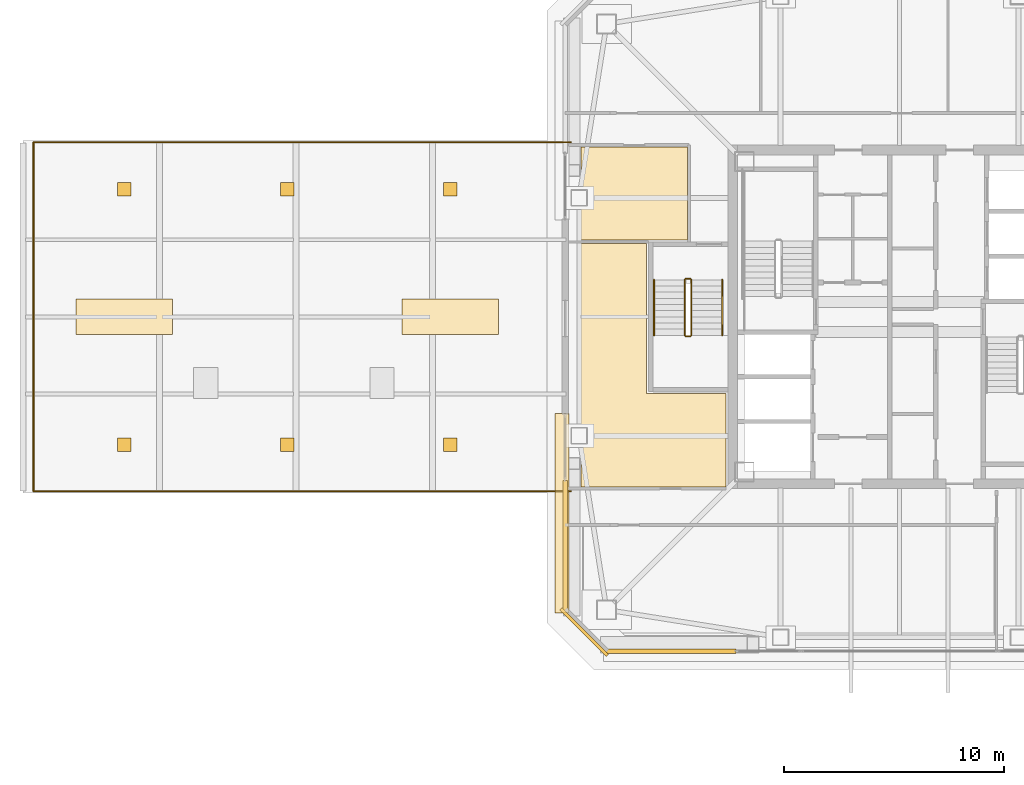
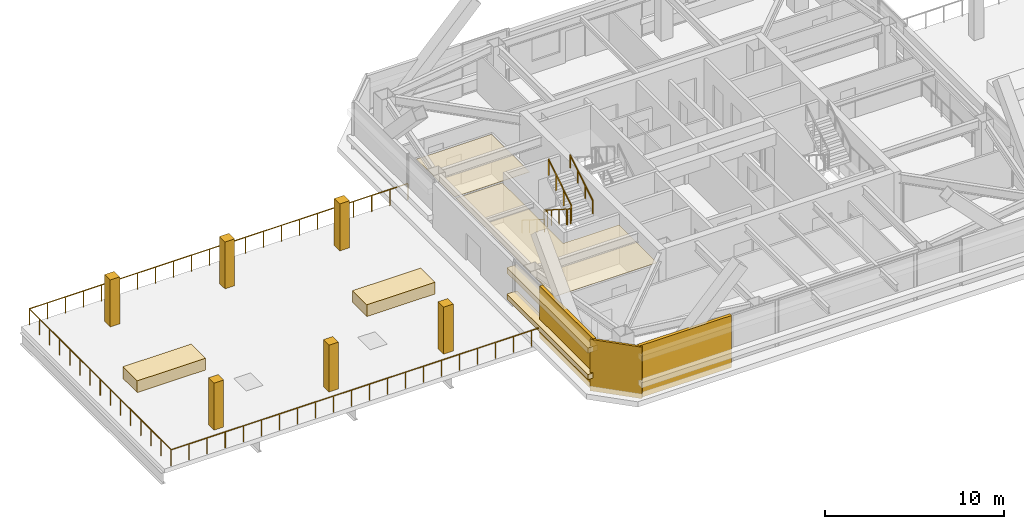
# One storey, part 32 of 37: 15 coverings, 9 railings.
"""IFC4 building model written with IfcOpenShell, lengths in metres."""

from ifc_helpers import new_model, si_unit, direction, frame, origin, origin_2d, place, context, subcontext, project, spatial, polyline, rectangle, outline, extrude, material, layer, layer_set, type_object, element, save


model = new_model("IFC4")

# Units and contexts
model_context = context("Model", 3, precision=1e-05, world=origin(), true_north=direction((0.0, 1.0)))
body_context = subcontext(model_context, "Body", "Model", "MODEL_VIEW")
ifc_project = project(units=[si_unit("LENGTHUNIT", "METRE"), si_unit("AREAUNIT", "SQUARE_METRE"), si_unit("VOLUMEUNIT", "CUBIC_METRE"), si_unit("PLANEANGLEUNIT", "RADIAN"), si_unit("MASSUNIT", "GRAM", prefix="KILO")], contexts=[model_context])

# Site, building, storey
site_placement = place(None, origin())
site = spatial("IfcSite", under=ifc_project, at=site_placement, CompositionType="ELEMENT")
building_placement = place(site_placement, origin())
building = spatial("IfcBuilding", under=site, at=building_placement, Name="Tashvorn Skyway Center", CompositionType="ELEMENT")
storey_placement = place(building_placement, frame((0.0, 0.0, 263.39990234375)))
storey = spatial("IfcBuildingStorey", under=building, at=storey_placement, Name="L71", CompositionType="ELEMENT", Elevation=263.39990234375)

# Coverings
ifc_material_1 = material(Name="Precast concrete C40/50", Category="concrete")
ifc_layer_1 = layer(ifc_material_1, 0.199951171875)
ifc_layer_set_1 = layer_set([ifc_layer_1], Name="Precast concrete C40/50")
covering_type_1 = type_object("IfcCoveringType", Name="COV-BRACE-CLAD", PredefinedType="CLADDING", material=ifc_layer_set_1)
covering_1_placement = place(storey_placement, frame((31.59326171875, 16.820068359375, 0.0), z_axis=(0.0, 0.0, 1.0), x_axis=(-1.0, 0.0, 0.0)))
element("IfcCovering", 1, at=covering_1_placement, inside=storey, type_object=covering_type_1, Name="Tower 1 L71 South Unitised Curtain Wall Mega-Brace Cladding Band 2", PredefinedType="CLADDING", context=body_context, shape_type="SweptSolid", body=[
    extrude(rectangle(XDim=5.94677734375, YDim=0.199951171875, at=origin_2d()), origin(), (0.0, 0.0, 1.0), 3.550048828125),
])
covering_2_placement = place(storey_placement, frame((26.820068359375, 21.5966796875, 0.0), z_axis=(0.0, 0.0, 1.0), x_axis=(0.0, 1.0, 0.0)))
element("IfcCovering", 2, at=covering_2_placement, inside=storey, type_object=covering_type_1, Name="Tower 1 L71 West Curtain Wall L Mega-Brace Cladding Band 1", PredefinedType="CLADDING", context=body_context, shape_type="SweptSolid", body=[
    extrude(rectangle(XDim=5.953369140625, YDim=0.199951171875, at=origin_2d()), origin(), (0.0, 0.0, 1.0), 3.550048828125),
])
ifc_material_2 = material(Name="Mineral-fibre acoustic ceiling tile on suspended grid")
ifc_layer_2 = layer(ifc_material_2, 0.02001953125)
ifc_layer_set_2 = layer_set([ifc_layer_2], Name="Mineral-fibre acoustic ceiling tile on suspended grid")
covering_type_2 = type_object("IfcCoveringType", Name="COV-CEIL-20", PredefinedType="CEILING", material=ifc_layer_set_2)
covering_3_placement = place(storey_placement, frame((0.0, 0.0, 2.703125)))
element("IfcCovering", 3, at=covering_3_placement, inside=storey, type_object=covering_type_2, Name="Tower 1 L71 Reading Lounge Acoustic Ceiling", PredefinedType="CEILING", context=body_context, shape_type="SweptSolid", body=[
    extrude(outline(polyline([(32.3701171875, 39.719970703125), (32.3701171875, 35.47998046875), (27.530029296875, 35.47998046875), (27.530029296875, 39.719970703125), (32.3701171875, 39.719970703125)])), origin(), (0.0, 0.0, 1.0), 0.02001953125),
])
covering_4_placement = place(storey_placement, frame((0.0, 0.0, 2.703125)))
element("IfcCovering", 4, at=covering_4_placement, inside=storey, type_object=covering_type_2, Name="Tower 1 L71 Public Restroom Acoustic Ceiling", PredefinedType="CEILING", context=body_context, shape_type="SweptSolid", body=[
    extrude(outline(polyline([(34.1201171875, 24.280029296875), (27.530029296875, 24.280029296875), (27.530029296875, 28.52001953125), (27.530029296875, 35.320068359375), (30.52001953125, 35.320068359375), (30.52001953125, 28.52001953125), (34.1201171875, 28.52001953125), (34.1201171875, 24.280029296875)])), origin(), (0.0, 0.0, 1.0), 0.02001953125),
])
ifc_material_3 = material(Name="Perforated ceramic-coated bronze aluminium solar screen", Category="aluminium")
ifc_layer_3 = layer(ifc_material_3, 0.85009765625)
ifc_layer_set_3 = layer_set([ifc_layer_3], Name="Perforated ceramic-coated bronze aluminium solar screen")
covering_type_3 = type_object("IfcCoveringType", Name="COV-SOLAR-BAND", PredefinedType="CLADDING", material=ifc_layer_set_3)
for number, where, z_axis, x_axis, name in (
    (5, (26.679931640625, 23.0849609375, 0.919921875), (0.0, 0.0, 1.0), (0.0, 1.0, 0.0), "L71 Perforated Ceramic-Metal Solar Screen Louvre Band West 1"),
    (6, (26.679931640625, 23.0849609375, 2.72021484375), (0.0, 0.0, 1.0), (0.0, 1.0, 0.0), "L71 Perforated Ceramic-Metal Solar Screen Louvre Band West 2"),
):
    element("IfcCovering", number, at=place(storey_placement, frame(where, z_axis=z_axis, x_axis=x_axis)), inside=storey, type_object=covering_type_3, Name=name, PredefinedType="CLADDING", context=body_context, shape_type="SweptSolid", body=[
        extrude(rectangle(XDim=9.050048828125, YDim=0.639892578125, at=origin_2d()), origin(), (0.0, 0.0, 1.0), 0.360107421875),
    ])
ifc_layer_4 = layer(ifc_material_1, 0.35009765625)
ifc_layer_set_4 = layer_set([ifc_layer_4], Name="Precast concrete C40/50")
covering_type_4 = type_object("IfcCoveringType", Name="COV-STONE-TRIM", PredefinedType="CLADDING", material=ifc_layer_set_4)
covering_5_placement = place(storey_placement, frame((27.679931640625, 17.679931640625, 0.02001953125), z_axis=(0.0, 0.0, 1.0), x_axis=(-0.707106781187, 0.707106781187, 0.0)))
element("IfcCovering", 7, at=covering_5_placement, inside=storey, type_object=covering_type_4, Name="Tower 1 L71 SW Mojave Limestone Corner Quoin", PredefinedType="CLADDING", context=body_context, shape_type="SweptSolid", body=[
    extrude(rectangle(XDim=2.98828125, YDim=0.139892578125, at=origin_2d()), origin(), (0.0, 0.0, 1.0), 3.510009765625),
])
for number, where, z_axis, x_axis, name in (
    (8, (6.800048828125, 26.199951171875, 0.0), (0.0, 0.0, 1.0), (1.0, 0.0, 0.0), "Sky-Park Promenade Pergola Stone Column Cladding 1-1"),
    (9, (6.800048828125, 37.800048828125, 0.0), (0.0, 0.0, 1.0), (1.0, 0.0, 0.0), "Sky-Park Promenade Pergola Stone Column Cladding 1-2"),
):
    element("IfcCovering", number, at=place(storey_placement, frame(where, z_axis=z_axis, x_axis=x_axis)), inside=storey, type_object=covering_type_4, Name=name, PredefinedType="CLADDING", context=body_context, shape_type="SweptSolid", body=[
        extrude(rectangle(XDim=0.6201171875, YDim=0.6201171875, at=origin_2d()), origin(), (0.0, 0.0, 1.0), 3.199951171875),
    ])
covering_6_placement = place(storey_placement, frame((6.800048828125, 32.0, 0.0), z_axis=(0.0, 0.0, 1.0), x_axis=(1.0, 0.0, 0.0)))
element("IfcCovering", 10, at=covering_6_placement, inside=storey, type_object=covering_type_4, Name="Sky-Park Promenade Xeriscape Planter Bed 1", PredefinedType="CLADDING", context=body_context, shape_type="SweptSolid", body=[
    extrude(rectangle(XDim=4.39990234375, YDim=1.60009765625, at=origin_2d()), origin(), (0.0, 0.0, 1.0), 0.800048828125),
])
for number, where, z_axis, x_axis, name in (
    (11, (14.199951171875, 26.199951171875, 0.0), (0.0, 0.0, 1.0), (1.0, 0.0, 0.0), "Sky-Park Promenade Pergola Stone Column Cladding 2-1"),
    (12, (14.199951171875, 37.800048828125, 0.0), (0.0, 0.0, 1.0), (1.0, 0.0, 0.0), "Sky-Park Promenade Pergola Stone Column Cladding 2-2"),
    (13, (21.60009765625, 26.199951171875, 0.0), (0.0, 0.0, 1.0), (1.0, 0.0, 0.0), "Sky-Park Promenade Pergola Stone Column Cladding 3-1"),
    (14, (21.60009765625, 37.800048828125, 0.0), (0.0, 0.0, 1.0), (1.0, 0.0, 0.0), "Sky-Park Promenade Pergola Stone Column Cladding 3-2"),
):
    element("IfcCovering", number, at=place(storey_placement, frame(where, z_axis=z_axis, x_axis=x_axis)), inside=storey, type_object=covering_type_4, Name=name, PredefinedType="CLADDING", context=body_context, shape_type="SweptSolid", body=[
        extrude(rectangle(XDim=0.6201171875, YDim=0.6201171875, at=origin_2d()), origin(), (0.0, 0.0, 1.0), 3.199951171875),
    ])
covering_7_placement = place(storey_placement, frame((21.60009765625, 32.0, 0.0), z_axis=(0.0, 0.0, 1.0), x_axis=(1.0, 0.0, 0.0)))
element("IfcCovering", 15, at=covering_7_placement, inside=storey, type_object=covering_type_4, Name="Sky-Park Promenade Xeriscape Planter Bed 3", PredefinedType="CLADDING", context=body_context, shape_type="SweptSolid", body=[
    extrude(rectangle(XDim=4.39990234375, YDim=1.60009765625, at=origin_2d()), origin(), (0.0, 0.0, 1.0), 0.800048828125),
])

# Railings
ifc_material_4 = material(Name="Galvanized steel S355", Category="steel")
railing_type_1 = type_object("IfcRailingType", Name="RAIL-GUARD-1120", PredefinedType="GUARDRAIL", material=ifc_material_4)
railing_1_placement = place(storey_placement, frame((27.080078125, 24.080078125, 0.0)))
element("IfcRailing", 16, at=railing_1_placement, inside=storey, type_object=railing_type_1, Name="L71 Sky-Park West Belvedere Balustrade 01", PredefinedType="GUARDRAIL", context=body_context, shape_type="SweptSolid", body=[
    extrude(rectangle(XDim=0.048095703125, YDim=0.048095703125, at=origin_2d()), frame((0.0, 0.0, 1.09619140625), z_axis=(-1.0, 0.0, 0.0), x_axis=(0.0, -1.0, 0.0)), (0.0, 0.0, 1.0), 24.400146484375),
    extrude(rectangle(XDim=0.0419921875, YDim=0.0419921875, at=origin_2d()), origin(), (0.0, 0.0, 1.0), 1.072021484375),
    extrude(rectangle(XDim=0.0419921875, YDim=0.0419921875, at=origin_2d()), frame((-1.161865234375, 0.0, 0.0)), (0.0, 0.0, 1.0), 1.072021484375),
    extrude(rectangle(XDim=0.0419921875, YDim=0.0419921875, at=origin_2d()), frame((-2.32373046875, 0.0, 0.0)), (0.0, 0.0, 1.0), 1.072021484375),
    extrude(rectangle(XDim=0.0419921875, YDim=0.0419921875, at=origin_2d()), frame((-3.48583984375, 0.0, 0.0)), (0.0, 0.0, 1.0), 1.072021484375),
    extrude(rectangle(XDim=0.0419921875, YDim=0.0419921875, at=origin_2d()), frame((-4.647705078125, 0.0, 0.0)), (0.0, 0.0, 1.0), 1.072021484375),
    extrude(rectangle(XDim=0.0419921875, YDim=0.0419921875, at=origin_2d()), frame((-5.8095703125, 0.0, 0.0)), (0.0, 0.0, 1.0), 1.072021484375),
    extrude(rectangle(XDim=0.0419921875, YDim=0.0419921875, at=origin_2d()), frame((-6.971435546875, 0.0, 0.0)), (0.0, 0.0, 1.0), 1.072021484375),
    extrude(rectangle(XDim=0.0419921875, YDim=0.0419921875, at=origin_2d()), frame((-8.13330078125, 0.0, 0.0)), (0.0, 0.0, 1.0), 1.072021484375),
    extrude(rectangle(XDim=0.0419921875, YDim=0.0419921875, at=origin_2d()), frame((-9.29541015625, 0.0, 0.0)), (0.0, 0.0, 1.0), 1.072021484375),
    extrude(rectangle(XDim=0.0419921875, YDim=0.0419921875, at=origin_2d()), frame((-10.457275390625, 0.0, 0.0)), (0.0, 0.0, 1.0), 1.072021484375),
    extrude(rectangle(XDim=0.0419921875, YDim=0.0419921875, at=origin_2d()), frame((-11.619140625, 0.0, 0.0)), (0.0, 0.0, 1.0), 1.072021484375),
    extrude(rectangle(XDim=0.0419921875, YDim=0.0419921875, at=origin_2d()), frame((-12.781005859375, 0.0, 0.0)), (0.0, 0.0, 1.0), 1.072021484375),
    extrude(rectangle(XDim=0.0419921875, YDim=0.0419921875, at=origin_2d()), frame((-13.94287109375, 0.0, 0.0)), (0.0, 0.0, 1.0), 1.072021484375),
    extrude(rectangle(XDim=0.0419921875, YDim=0.0419921875, at=origin_2d()), frame((-15.104736328125, 0.0, 0.0)), (0.0, 0.0, 1.0), 1.072021484375),
    extrude(rectangle(XDim=0.0419921875, YDim=0.0419921875, at=origin_2d()), frame((-16.266845703125, 0.0, 0.0)), (0.0, 0.0, 1.0), 1.072021484375),
    extrude(rectangle(XDim=0.0419921875, YDim=0.0419921875, at=origin_2d()), frame((-17.4287109375, 0.0, 0.0)), (0.0, 0.0, 1.0), 1.072021484375),
    extrude(rectangle(XDim=0.0419921875, YDim=0.0419921875, at=origin_2d()), frame((-18.590576171875, 0.0, 0.0)), (0.0, 0.0, 1.0), 1.072021484375),
    extrude(rectangle(XDim=0.0419921875, YDim=0.0419921875, at=origin_2d()), frame((-19.75244140625, 0.0, 0.0)), (0.0, 0.0, 1.0), 1.072021484375),
    extrude(rectangle(XDim=0.0419921875, YDim=0.0419921875, at=origin_2d()), frame((-20.914306640625, 0.0, 0.0)), (0.0, 0.0, 1.0), 1.072021484375),
    extrude(rectangle(XDim=0.0419921875, YDim=0.0419921875, at=origin_2d()), frame((-22.076416015625, 0.0, 0.0)), (0.0, 0.0, 1.0), 1.072021484375),
    extrude(rectangle(XDim=0.0419921875, YDim=0.0419921875, at=origin_2d()), frame((-23.23828125, 0.0, 0.0)), (0.0, 0.0, 1.0), 1.072021484375),
    extrude(rectangle(XDim=0.0419921875, YDim=0.0419921875, at=origin_2d()), frame((-24.400146484375, 0.0, 0.0)), (0.0, 0.0, 1.0), 1.072021484375),
])
railing_2_placement = place(storey_placement, frame((2.679931640625, 24.080078125, 0.0)))
element("IfcRailing", 17, at=railing_2_placement, inside=storey, type_object=railing_type_1, Name="L71 Sky-Park West Belvedere Balustrade 02", PredefinedType="GUARDRAIL", context=body_context, shape_type="SweptSolid", body=[
    extrude(rectangle(XDim=0.048095703125, YDim=0.048095703125, at=origin_2d()), frame((0.0, 0.0, 1.09619140625), z_axis=(0.0, 1.0, 0.0), x_axis=(-1.0, 0.0, 0.0)), (0.0, 0.0, 1.0), 15.83984375),
    extrude(rectangle(XDim=0.0419921875, YDim=0.0419921875, at=origin_2d()), origin(), (0.0, 0.0, 1.0), 1.072021484375),
    extrude(rectangle(XDim=0.0419921875, YDim=0.0419921875, at=origin_2d()), frame((0.0, 1.13134765625, 0.0)), (0.0, 0.0, 1.0), 1.072021484375),
    extrude(rectangle(XDim=0.0419921875, YDim=0.0419921875, at=origin_2d()), frame((0.0, 2.262939453125, 0.0)), (0.0, 0.0, 1.0), 1.072021484375),
    extrude(rectangle(XDim=0.0419921875, YDim=0.0419921875, at=origin_2d()), frame((0.0, 3.394287109375, 0.0)), (0.0, 0.0, 1.0), 1.072021484375),
    extrude(rectangle(XDim=0.0419921875, YDim=0.0419921875, at=origin_2d()), frame((0.0, 4.525634765625, 0.0)), (0.0, 0.0, 1.0), 1.072021484375),
    extrude(rectangle(XDim=0.0419921875, YDim=0.0419921875, at=origin_2d()), frame((0.0, 5.656982421875, 0.0)), (0.0, 0.0, 1.0), 1.072021484375),
    extrude(rectangle(XDim=0.0419921875, YDim=0.0419921875, at=origin_2d()), frame((0.0, 6.78857421875, 0.0)), (0.0, 0.0, 1.0), 1.072021484375),
    extrude(rectangle(XDim=0.0419921875, YDim=0.0419921875, at=origin_2d()), frame((0.0, 7.919921875, 0.0)), (0.0, 0.0, 1.0), 1.072021484375),
    extrude(rectangle(XDim=0.0419921875, YDim=0.0419921875, at=origin_2d()), frame((0.0, 9.05126953125, 0.0)), (0.0, 0.0, 1.0), 1.072021484375),
    extrude(rectangle(XDim=0.0419921875, YDim=0.0419921875, at=origin_2d()), frame((0.0, 10.182861328125, 0.0)), (0.0, 0.0, 1.0), 1.072021484375),
    extrude(rectangle(XDim=0.0419921875, YDim=0.0419921875, at=origin_2d()), frame((0.0, 11.314208984375, 0.0)), (0.0, 0.0, 1.0), 1.072021484375),
    extrude(rectangle(XDim=0.0419921875, YDim=0.0419921875, at=origin_2d()), frame((0.0, 12.445556640625, 0.0)), (0.0, 0.0, 1.0), 1.072021484375),
    extrude(rectangle(XDim=0.0419921875, YDim=0.0419921875, at=origin_2d()), frame((0.0, 13.576904296875, 0.0)), (0.0, 0.0, 1.0), 1.072021484375),
    extrude(rectangle(XDim=0.0419921875, YDim=0.0419921875, at=origin_2d()), frame((0.0, 14.70849609375, 0.0)), (0.0, 0.0, 1.0), 1.072021484375),
    extrude(rectangle(XDim=0.0419921875, YDim=0.0419921875, at=origin_2d()), frame((0.0, 15.83984375, 0.0)), (0.0, 0.0, 1.0), 1.072021484375),
])
railing_3_placement = place(storey_placement, frame((2.679931640625, 39.919921875, 0.0)))
element("IfcRailing", 18, at=railing_3_placement, inside=storey, type_object=railing_type_1, Name="L71 Sky-Park West Belvedere Balustrade 03", PredefinedType="GUARDRAIL", context=body_context, shape_type="SweptSolid", body=[
    extrude(rectangle(XDim=0.048095703125, YDim=0.048095703125, at=origin_2d()), frame((0.0, 0.0, 1.09619140625), z_axis=(1.0, 0.0, 0.0), x_axis=(0.0, 1.0, 0.0)), (0.0, 0.0, 1.0), 24.400146484375),
    extrude(rectangle(XDim=0.0419921875, YDim=0.0419921875, at=origin_2d()), origin(), (0.0, 0.0, 1.0), 1.072021484375),
    extrude(rectangle(XDim=0.0419921875, YDim=0.0419921875, at=origin_2d()), frame((1.161865234375, 0.0, 0.0)), (0.0, 0.0, 1.0), 1.072021484375),
    extrude(rectangle(XDim=0.0419921875, YDim=0.0419921875, at=origin_2d()), frame((2.32373046875, 0.0, 0.0)), (0.0, 0.0, 1.0), 1.072021484375),
    extrude(rectangle(XDim=0.0419921875, YDim=0.0419921875, at=origin_2d()), frame((3.48583984375, 0.0, 0.0)), (0.0, 0.0, 1.0), 1.072021484375),
    extrude(rectangle(XDim=0.0419921875, YDim=0.0419921875, at=origin_2d()), frame((4.647705078125, 0.0, 0.0)), (0.0, 0.0, 1.0), 1.072021484375),
    extrude(rectangle(XDim=0.0419921875, YDim=0.0419921875, at=origin_2d()), frame((5.8095703125, 0.0, 0.0)), (0.0, 0.0, 1.0), 1.072021484375),
    extrude(rectangle(XDim=0.0419921875, YDim=0.0419921875, at=origin_2d()), frame((6.971435546875, 0.0, 0.0)), (0.0, 0.0, 1.0), 1.072021484375),
    extrude(rectangle(XDim=0.0419921875, YDim=0.0419921875, at=origin_2d()), frame((8.13330078125, 0.0, 0.0)), (0.0, 0.0, 1.0), 1.072021484375),
    extrude(rectangle(XDim=0.0419921875, YDim=0.0419921875, at=origin_2d()), frame((9.29541015625, 0.0, 0.0)), (0.0, 0.0, 1.0), 1.072021484375),
    extrude(rectangle(XDim=0.0419921875, YDim=0.0419921875, at=origin_2d()), frame((10.457275390625, 0.0, 0.0)), (0.0, 0.0, 1.0), 1.072021484375),
    extrude(rectangle(XDim=0.0419921875, YDim=0.0419921875, at=origin_2d()), frame((11.619140625, 0.0, 0.0)), (0.0, 0.0, 1.0), 1.072021484375),
    extrude(rectangle(XDim=0.0419921875, YDim=0.0419921875, at=origin_2d()), frame((12.781005859375, 0.0, 0.0)), (0.0, 0.0, 1.0), 1.072021484375),
    extrude(rectangle(XDim=0.0419921875, YDim=0.0419921875, at=origin_2d()), frame((13.94287109375, 0.0, 0.0)), (0.0, 0.0, 1.0), 1.072021484375),
    extrude(rectangle(XDim=0.0419921875, YDim=0.0419921875, at=origin_2d()), frame((15.104736328125, 0.0, 0.0)), (0.0, 0.0, 1.0), 1.072021484375),
    extrude(rectangle(XDim=0.0419921875, YDim=0.0419921875, at=origin_2d()), frame((16.266845703125, 0.0, 0.0)), (0.0, 0.0, 1.0), 1.072021484375),
    extrude(rectangle(XDim=0.0419921875, YDim=0.0419921875, at=origin_2d()), frame((17.4287109375, 0.0, 0.0)), (0.0, 0.0, 1.0), 1.072021484375),
    extrude(rectangle(XDim=0.0419921875, YDim=0.0419921875, at=origin_2d()), frame((18.590576171875, 0.0, 0.0)), (0.0, 0.0, 1.0), 1.072021484375),
    extrude(rectangle(XDim=0.0419921875, YDim=0.0419921875, at=origin_2d()), frame((19.75244140625, 0.0, 0.0)), (0.0, 0.0, 1.0), 1.072021484375),
    extrude(rectangle(XDim=0.0419921875, YDim=0.0419921875, at=origin_2d()), frame((20.914306640625, 0.0, 0.0)), (0.0, 0.0, 1.0), 1.072021484375),
    extrude(rectangle(XDim=0.0419921875, YDim=0.0419921875, at=origin_2d()), frame((22.076416015625, 0.0, 0.0)), (0.0, 0.0, 1.0), 1.072021484375),
    extrude(rectangle(XDim=0.0419921875, YDim=0.0419921875, at=origin_2d()), frame((23.23828125, 0.0, 0.0)), (0.0, 0.0, 1.0), 1.072021484375),
    extrude(rectangle(XDim=0.0419921875, YDim=0.0419921875, at=origin_2d()), frame((24.400146484375, 0.0, 0.0)), (0.0, 0.0, 1.0), 1.072021484375),
])
ifc_material_5 = material(Name="Brushed stainless steel 316", Category="steel")
railing_type_2 = type_object("IfcRailingType", Name="RAIL-HAND-920", PredefinedType="HANDRAIL", material=ifc_material_5)
railing_4_placement = place(storey_placement, frame((30.85009765625, 33.679931640625, 0.177490234375)))
element("IfcRailing", 19, at=railing_4_placement, inside=storey, type_object=railing_type_2, Name="L71 ST-T1-3 stair handrail 1", PredefinedType="HANDRAIL", context=body_context, shape_type="SweptSolid", body=[
    extrude(rectangle(XDim=0.048095703125, YDim=0.048095703125, at=origin_2d()), frame((0.0, 0.0, 0.8759765625), z_axis=(0.0, -0.84456994832, 0.535445237532), x_axis=(1.0, 0.0, 0.0)), (0.0, 0.0, 1.0), 2.98388671875),
    extrude(rectangle(XDim=0.0419921875, YDim=0.0419921875, at=origin_2d()), origin(), (0.0, 0.0, 1.0), 0.851806640625),
    extrude(rectangle(XDim=0.0419921875, YDim=0.0419921875, at=origin_2d()), frame((0.0, -0.840087890625, 0.532470703125)), (0.0, 0.0, 1.0), 0.851806640625),
    extrude(rectangle(XDim=0.0419921875, YDim=0.0419921875, at=origin_2d()), frame((0.0, -1.679931640625, 1.065185546875)), (0.0, 0.0, 1.0), 0.851806640625),
    extrude(rectangle(XDim=0.0419921875, YDim=0.0419921875, at=origin_2d()), frame((0.0, -2.52001953125, 1.59765625)), (0.0, 0.0, 1.0), 0.851806640625),
])
railing_5_placement = place(storey_placement, frame((33.949951171875, 31.159912109375, 1.95263671875)))
element("IfcRailing", 20, at=railing_5_placement, inside=storey, type_object=railing_type_2, Name="L71 ST-T1-3 stair handrail 2", PredefinedType="HANDRAIL", context=body_context, shape_type="SweptSolid", body=[
    extrude(rectangle(XDim=0.048095703125, YDim=0.048095703125, at=origin_2d()), frame((0.0, 0.0, 0.8759765625), z_axis=(0.0, 0.84460694969, 0.535386869969), x_axis=(-1.0, 0.0, 0.0)), (0.0, 0.0, 1.0), 2.983642578125),
    extrude(rectangle(XDim=0.0419921875, YDim=0.0419921875, at=origin_2d()), origin(), (0.0, 0.0, 1.0), 0.851806640625),
    extrude(rectangle(XDim=0.0419921875, YDim=0.0419921875, at=origin_2d()), frame((0.0, 0.840087890625, 0.532470703125)), (0.0, 0.0, 1.0), 0.851806640625),
    extrude(rectangle(XDim=0.0419921875, YDim=0.0419921875, at=origin_2d()), frame((0.0, 1.679931640625, 1.06494140625)), (0.0, 0.0, 1.0), 0.851806640625),
    extrude(rectangle(XDim=0.0419921875, YDim=0.0419921875, at=origin_2d()), frame((0.0, 2.52001953125, 1.597412109375)), (0.0, 0.0, 1.0), 0.851806640625),
])
ifc_material_6 = material(Name="Painted galvanized steel S355", Category="steel")
railing_type_3 = type_object("IfcRailingType", Name="RAIL-STGUARD-1100", PredefinedType="GUARDRAIL", material=ifc_material_6)
railing_6_placement = place(storey_placement, frame((32.25, 33.679931640625, 0.177490234375)))
element("IfcRailing", 21, at=railing_6_placement, inside=storey, type_object=railing_type_3, Name="L71 ST-T1-3 stair guard 1", PredefinedType="GUARDRAIL", context=body_context, shape_type="SweptSolid", body=[
    extrude(rectangle(XDim=0.048095703125, YDim=0.048095703125, at=origin_2d()), frame((0.0, 0.0, 1.076171875), z_axis=(0.0, -0.84456994832, 0.535445237532), x_axis=(1.0, 0.0, 0.0)), (0.0, 0.0, 1.0), 2.98388671875),
    extrude(rectangle(XDim=0.0419921875, YDim=0.0419921875, at=origin_2d()), origin(), (0.0, 0.0, 1.0), 1.052001953125),
    extrude(rectangle(XDim=0.0419921875, YDim=0.0419921875, at=origin_2d()), frame((0.0, -0.840087890625, 0.532470703125)), (0.0, 0.0, 1.0), 1.052001953125),
    extrude(rectangle(XDim=0.0419921875, YDim=0.0419921875, at=origin_2d()), frame((0.0, -1.679931640625, 1.065185546875)), (0.0, 0.0, 1.0), 1.052001953125),
    extrude(rectangle(XDim=0.0419921875, YDim=0.0419921875, at=origin_2d()), frame((0.0, -2.52001953125, 1.59765625)), (0.0, 0.0, 1.0), 1.052001953125),
])
railing_7_placement = place(storey_placement, frame((32.300048828125, 31.110107421875, 1.775146484375)))
element("IfcRailing", 22, at=railing_7_placement, inside=storey, type_object=railing_type_3, Name="L71 ST-T1-3 stair guard 2", PredefinedType="GUARDRAIL", context=body_context, shape_type="SweptSolid", body=[
    extrude(rectangle(XDim=0.048095703125, YDim=0.048095703125, at=origin_2d()), frame((0.0, 0.0, 1.076171875), z_axis=(1.0, 0.0, 0.0), x_axis=(0.0, 1.0, 0.0)), (0.0, 0.0, 1.0), 0.199951171875),
    extrude(rectangle(XDim=0.0419921875, YDim=0.0419921875, at=origin_2d()), origin(), (0.0, 0.0, 1.0), 1.052001953125),
    extrude(rectangle(XDim=0.0419921875, YDim=0.0419921875, at=origin_2d()), frame((0.199951171875, 0.0, 0.0)), (0.0, 0.0, 1.0), 1.052001953125),
])
railing_8_placement = place(storey_placement, frame((32.550048828125, 31.159912109375, 1.95263671875)))
element("IfcRailing", 23, at=railing_8_placement, inside=storey, type_object=railing_type_3, Name="L71 ST-T1-3 stair guard 3", PredefinedType="GUARDRAIL", context=body_context, shape_type="SweptSolid", body=[
    extrude(rectangle(XDim=0.048095703125, YDim=0.048095703125, at=origin_2d()), frame((0.0, 0.0, 1.076171875), z_axis=(0.0, 0.84460694969, 0.535386869969), x_axis=(-1.0, 0.0, 0.0)), (0.0, 0.0, 1.0), 2.983642578125),
    extrude(rectangle(XDim=0.0419921875, YDim=0.0419921875, at=origin_2d()), origin(), (0.0, 0.0, 1.0), 1.052001953125),
    extrude(rectangle(XDim=0.0419921875, YDim=0.0419921875, at=origin_2d()), frame((0.0, 0.840087890625, 0.532470703125)), (0.0, 0.0, 1.0), 1.052001953125),
    extrude(rectangle(XDim=0.0419921875, YDim=0.0419921875, at=origin_2d()), frame((0.0, 1.679931640625, 1.06494140625)), (0.0, 0.0, 1.0), 1.052001953125),
    extrude(rectangle(XDim=0.0419921875, YDim=0.0419921875, at=origin_2d()), frame((0.0, 2.52001953125, 1.597412109375)), (0.0, 0.0, 1.0), 1.052001953125),
])
railing_9_placement = place(storey_placement, frame((32.300048828125, 33.72998046875, 0.0)))
element("IfcRailing", 24, at=railing_9_placement, inside=storey, type_object=railing_type_3, Name="L71 ST-T1-3 stair guard 4", PredefinedType="GUARDRAIL", context=body_context, shape_type="SweptSolid", body=[
    extrude(rectangle(XDim=0.048095703125, YDim=0.048095703125, at=origin_2d()), frame((0.0, 0.0, 1.076171875), z_axis=(1.0, 0.0, 0.0), x_axis=(0.0, 1.0, 0.0)), (0.0, 0.0, 1.0), 0.199951171875),
    extrude(rectangle(XDim=0.0419921875, YDim=0.0419921875, at=origin_2d()), origin(), (0.0, 0.0, 1.0), 1.052001953125),
    extrude(rectangle(XDim=0.0419921875, YDim=0.0419921875, at=origin_2d()), frame((0.199951171875, 0.0, 0.0)), (0.0, 0.0, 1.0), 1.052001953125),
])

save(model, "model.ifc")
